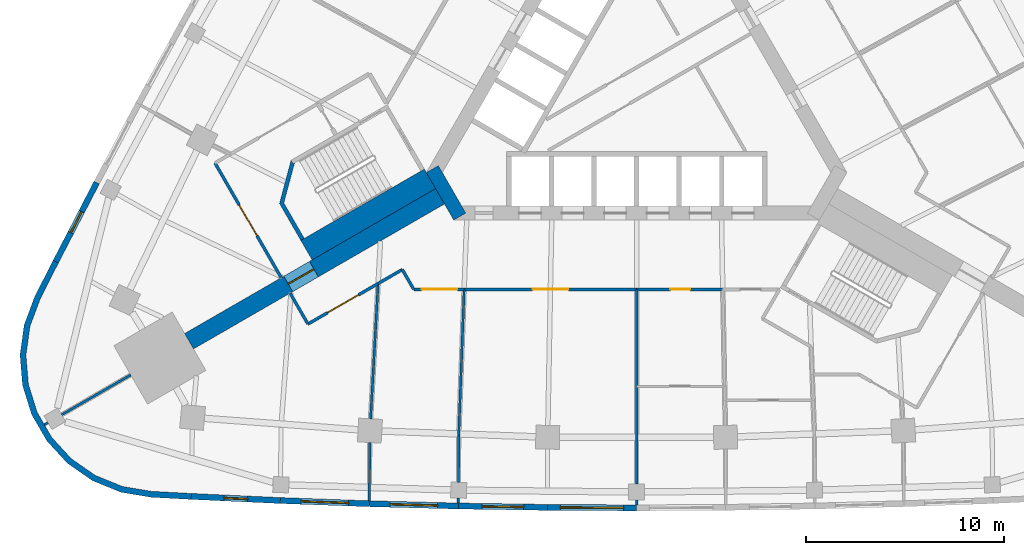
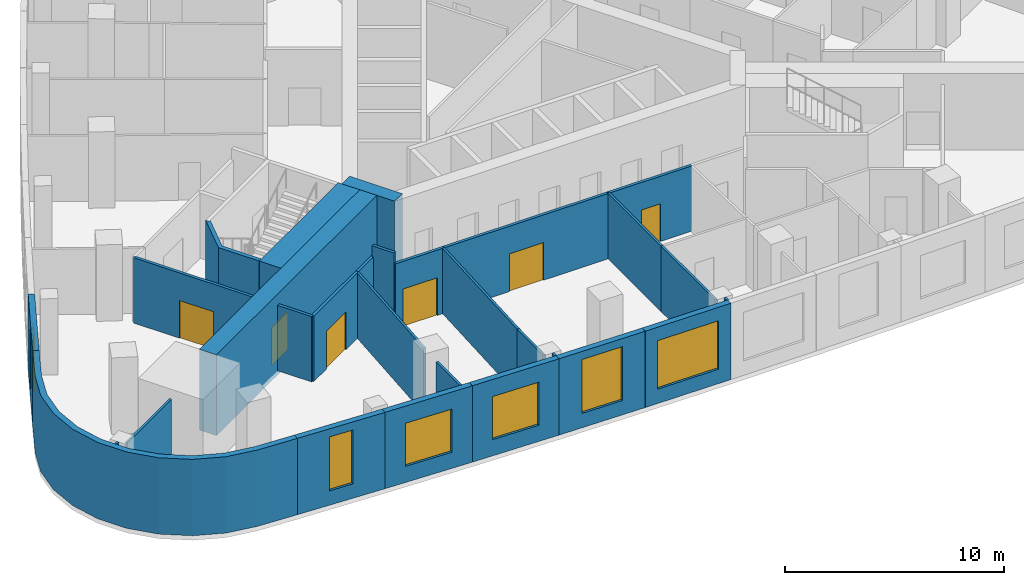
# One storey, part 4 of 11: 29 walls, 6 doors, 6 windows, 12 openings.
"""IFC4 building model written with IfcOpenShell, lengths in metres."""

import ifcopenshell
import ifcopenshell.guid

model = None  # the IFC model being written
_history = None  # IfcOwnerHistory: only IFC2X3 demands one
_inside = {}  # id of a spatial element -> (the spatial element, [elements in it])
_under = {}  # id of a project, library or spatial element -> (it, [spatial elements below it])
_declared = {}  # id of a project -> (the project, [libraries it declares])
_typed = {}  # id of a type object -> (the type object, [elements of that type])
_made_of = {}  # id of a material, layer set ... -> (it, [elements and type objects made of it])


def new_model(schema):
    """Start an empty IFC model of exactly this schema.

    Asked for "IFC4X3", IfcOpenShell would pick the latest addendum, in which some entities
    have other attributes; the version numbers below select the first issue.
    IFC2X3 requires an IfcOwnerHistory on every rooted entity: one is made here for all.
    """
    global model, _history
    if schema == "IFC4X3":
        model = ifcopenshell.file(schema_version=(4, 3, 0, 0))
    else:
        model = ifcopenshell.file(schema=schema)
    _inside.clear()
    _under.clear()
    _declared.clear()
    _typed.clear()
    _made_of.clear()
    _history = None
    if model.schema == "IFC2X3":
        org = make("IfcOrganization", Name="unknown")
        user = make(
            "IfcPersonAndOrganization",
            ThePerson=make("IfcPerson", FamilyName="unknown"),
            TheOrganization=org,
        )
        app = make(
            "IfcApplication",
            ApplicationDeveloper=org,
            Version="unknown",
            ApplicationFullName="unknown",
            ApplicationIdentifier="unknown",
        )
        _history = make(
            "IfcOwnerHistory",
            OwningUser=user,
            OwningApplication=app,
            ChangeAction="ADDED",
            CreationDate=0,
        )
    return model


def make(cls, **values):
    """One entity of the class cls with the attributes given. An attribute that is None is left unset."""
    return model.create_entity(
        cls, **{name: value for name, value in values.items() if value is not None}
    )


def rooted(cls, **values):
    """An entity with a GlobalId (a new one), such as an element, a storey or a relation."""
    return make(cls, GlobalId=ifcopenshell.guid.new(), OwnerHistory=_history, **values)


def si_unit(unit_type, name, prefix=None):
    """IfcSIUnit, for example si_unit("LENGTHUNIT", "METRE", prefix="MILLI")."""
    return make("IfcSIUnit", UnitType=unit_type, Prefix=prefix, Name=name)


def assignment(units):
    """IfcUnitAssignment: the units of a project."""
    return None if units is None else make("IfcUnitAssignment", Units=units)


def point(xyz):
    """IfcCartesianPoint."""
    return None if xyz is None else make("IfcCartesianPoint", Coordinates=xyz)


def direction(xyz):
    """IfcDirection."""
    return None if xyz is None else make("IfcDirection", DirectionRatios=xyz)


def frame(location, z_axis=None, x_axis=None):
    """IfcAxis2Placement3D, a coordinate frame: its origin and axes. An axis left out is left unset."""
    return make(
        "IfcAxis2Placement3D",
        Location=point(location),
        Axis=direction(z_axis),
        RefDirection=direction(x_axis),
    )


def frame_2d(location, x_axis=None):
    """IfcAxis2Placement2D, a coordinate frame in the plane: its origin and x axis."""
    return make(
        "IfcAxis2Placement2D", Location=point(location), RefDirection=direction(x_axis)
    )


def origin():
    """The frame at (0, 0, 0) with its axes left unset."""
    return frame((0.0, 0.0, 0.0))


def place(relative_to, where):
    """IfcLocalPlacement: puts the frame where relative to a parent placement (None: the world)."""
    return make(
        "IfcLocalPlacement", PlacementRelTo=relative_to, RelativePlacement=where
    )


def context(
    kind, dimensions, precision=None, world=None, true_north=None, identifier=None
):
    """IfcGeometricRepresentationContext, for example the 3D "Model" context."""
    return make(
        "IfcGeometricRepresentationContext",
        ContextIdentifier=identifier,
        ContextType=kind,
        CoordinateSpaceDimension=dimensions,
        Precision=precision,
        WorldCoordinateSystem=world,
        TrueNorth=true_north,
    )


def subcontext(parent, identifier, kind, view, scale=None):
    """IfcGeometricRepresentationSubContext, for example "Body" below "Model"."""
    return make(
        "IfcGeometricRepresentationSubContext",
        ContextIdentifier=identifier,
        ContextType=kind,
        ParentContext=parent,
        TargetScale=scale,
        TargetView=view,
    )


def project(units=None, contexts=None):
    """IfcProject with its units and contexts."""
    return rooted(
        "IfcProject",
        Name="project",
        RepresentationContexts=contexts,
        UnitsInContext=assignment(units),
    )


def spatial(cls, under=None, at=None, **own):
    """A site, building, storey or space (cls), placed at a placement, below another one or the project."""
    s = rooted(cls, ObjectPlacement=at, **own)
    if under is not None:
        _under.setdefault(under.id(), (under, []))[1].append(s)
    return s


def polyline(points):
    """IfcPolyline through the points."""
    return make("IfcPolyline", Points=[point(p) for p in points])


def profile(cls, at=None, kind="AREA", **sizes):
    """A parametric profile (cls). Its sizes go by their IFC names, for example OverallWidth=200.0."""
    return make(cls, ProfileType=kind, Position=at, **sizes)


def rectangle(**sizes):
    """IfcRectangleProfileDef."""
    return profile("IfcRectangleProfileDef", **sizes)


def outline(outer, holes=None, kind="AREA"):
    """IfcArbitraryClosedProfileDef: a profile drawn as a closed curve; with holes, ...WithVoids."""
    if holes is None:
        return make("IfcArbitraryClosedProfileDef", ProfileType=kind, OuterCurve=outer)
    return make(
        "IfcArbitraryProfileDefWithVoids",
        ProfileType=kind,
        OuterCurve=outer,
        InnerCurves=holes,
    )


def extrude(swept, where, along, depth):
    """IfcExtrudedAreaSolid: the profile swept, set in the frame where, extruded along a direction by depth."""
    return make(
        "IfcExtrudedAreaSolid",
        SweptArea=swept,
        Position=where,
        ExtrudedDirection=direction(along),
        Depth=depth,
    )


def shape(context_of_items, identifier, shape_type, items):
    """IfcShapeRepresentation: the items that make up one representation, for example the "Body"."""
    return make(
        "IfcShapeRepresentation",
        ContextOfItems=context_of_items,
        RepresentationIdentifier=identifier,
        RepresentationType=shape_type,
        Items=items,
    )


def material(Name=None, Category=None):
    """IfcMaterial."""
    return make("IfcMaterial", Name=Name, Category=Category)


def layer(
    of_material, thickness, ventilated=None, Name=None, Category=None, Priority=None
):
    """IfcMaterialLayer: one layer of a wall or slab, of a material (None: an air gap)."""
    return make(
        "IfcMaterialLayer",
        Material=of_material,
        LayerThickness=thickness,
        IsVentilated=ventilated,
        Name=Name,
        Category=Category,
        Priority=Priority,
    )


def layer_set(layers, Name=None):
    """IfcMaterialLayerSet."""
    return make("IfcMaterialLayerSet", MaterialLayers=layers, LayerSetName=Name)


def made_of(thing, what):
    """Note that an element or type object is made of a material, layer set ...; save() writes the relation."""
    if what is not None:
        _made_of.setdefault(what.id(), (what, []))[1].append(thing)
    return thing


def type_object(cls, material=None, **own):
    """A type object (cls), such as IfcWallType, which elements share."""
    return made_of(rooted(cls, **own), material)


def element(
    cls,
    number,
    at=None,
    inside=None,
    cuts=None,
    type_object=None,
    material=None,
    context=None,
    identifier="Body",
    shape_type=None,
    held_by="IfcProductDefinitionShape",
    body=None,
    shapes=None,
    **own,
):
    """One element of the class cls, such as IfcWall. Its Tag is "e" and its number.

    at: its placement. inside: the storey or other place that contains it. cuts: it is an
    opening in that element (IfcRelVoidsElement). A single representation is given by context,
    identifier, shape_type and body (its items); several are given by shapes. held_by: the class
    of the entity that holds the representations. save() writes the other relations.
    """
    e = rooted(cls, Tag="e%d" % number, ObjectPlacement=at, **own)
    if body is not None:
        shapes = [shape(context, identifier, shape_type, body)]
    if shapes is not None:
        e.Representation = make(held_by, Representations=shapes)
    if inside is not None:
        _inside.setdefault(inside.id(), (inside, []))[1].append(e)
    if cuts is not None:
        rooted(
            "IfcRelVoidsElement", RelatingBuildingElement=cuts, RelatedOpeningElement=e
        )
    if type_object is not None:
        _typed.setdefault(type_object.id(), (type_object, []))[1].append(e)
    return made_of(e, material)


def fill(opening, filler):
    """IfcRelFillsElement: the door or window that sits in an opening."""
    return rooted(
        "IfcRelFillsElement",
        RelatingOpeningElement=opening,
        RelatedBuildingElement=filler,
    )


def aggregate(whole, parts):
    """IfcRelAggregates: a whole, such as a stair, and the parts it consists of."""
    return rooted("IfcRelAggregates", RelatingObject=whole, RelatedObjects=parts)


def save(model, path):
    """Write the relations noted so far, then the file.

    IfcRelAggregates (storeys below a building ...), IfcRelContainedInSpatialStructure (elements
    in a storey), IfcRelDefinesByType, IfcRelAssociatesMaterial and IfcRelDeclares: one each for
    every whole, place, type object, material and project.
    """
    for whole, parts in _under.values():
        aggregate(whole, parts)
    for where, things in _inside.values():
        rooted(
            "IfcRelContainedInSpatialStructure",
            RelatedElements=things,
            RelatingStructure=where,
        )
    for kind, things in _typed.values():
        rooted("IfcRelDefinesByType", RelatedObjects=things, RelatingType=kind)
    for what, things in _made_of.values():
        rooted("IfcRelAssociatesMaterial", RelatedObjects=things, RelatingMaterial=what)
    for by, libraries in _declared.values():
        rooted("IfcRelDeclares", RelatingContext=by, RelatedDefinitions=libraries)
    model.write(path)


model = new_model("IFC4")

# Units and contexts
model_context = context("Model", 3, precision=1e-05, world=origin(), true_north=direction((0.0, 1.0)))
body_context = subcontext(model_context, "Body", "Model", "MODEL_VIEW")
ifc_project = project(units=[si_unit("LENGTHUNIT", "METRE"), si_unit("AREAUNIT", "SQUARE_METRE"), si_unit("VOLUMEUNIT", "CUBIC_METRE"), si_unit("PLANEANGLEUNIT", "RADIAN"), si_unit("MASSUNIT", "GRAM", prefix="KILO")], contexts=[model_context])

# Site, building, storey
site_placement = place(None, origin())
site = spatial("IfcSite", under=ifc_project, at=site_placement, CompositionType="ELEMENT")
building_placement = place(site_placement, origin())
building = spatial("IfcBuilding", under=site, at=building_placement, Name="Noor Cloister Tower", CompositionType="ELEMENT")
storey_placement = place(building_placement, frame((0.0, 0.0, 6.0)))
storey = spatial("IfcBuildingStorey", under=building, at=storey_placement, Name="L01", CompositionType="ELEMENT", Elevation=6.0)

# Wall, opening, door
ifc_material_1 = material(Name="Concrete C80/95", Category="concrete")
ifc_layer_1 = layer(ifc_material_1, 0.89990234375)
ifc_layer_set_1 = layer_set([ifc_layer_1], Name="Buttress wall 900 C80/95")
wall_type_1 = type_object("IfcWallType", Name="Buttress wall 900 C80/95", PredefinedType="SHEAR", material=ifc_layer_set_1)
wall_1_placement = place(storey_placement, frame((-9.921630859375, -5.728271484375, -0.25), z_axis=(0.0, 0.0, 1.0), x_axis=(-0.866028046028, -0.499995423472, 0.0)))
wall_1 = element("IfcWall", 1, at=wall_1_placement, inside=storey, type_object=wall_type_1, Name="Buttress wall SW L01", PredefinedType="SHEAR", context=body_context, shape_type="SweptSolid", body=[
    extrude(rectangle(XDim=14.632568359375, YDim=0.89990234375, at=frame_2d((7.31640625, 0.0))), origin(), (0.0, 0.0, 1.0), 4.5),
])
opening_1_placement = place(wall_1_placement, frame((7.35009765625, 0.0, 0.25)))
opening_1 = element("IfcOpeningElement", 2, at=opening_1_placement, cuts=wall_1, Name="Opening L01-035", PredefinedType="OPENING", context=body_context, shape_type="SweptSolid", body=[
    extrude(rectangle(XDim=1.5, YDim=2.10009765625, at=frame_2d((0.75, 1.050048828125))), frame((0.0, 0.4599609375, 0.0), z_axis=(0.0, -1.0, 0.0), x_axis=(1.0, 0.0, 0.0)), (0.0, 0.0, 1.0), 0.919921875),
])
ifc_material_2 = material(Name="Steel fire door", Category="steel")
door_type_1 = type_object("IfcDoorType", Name="Smoke barrier door FD60 1500", OperationType="DOUBLE_DOOR_SINGLE_SWING", PredefinedType="DOOR", material=ifc_material_2)
door_1_placement = place(opening_1_placement, origin())
door_1 = element("IfcDoor", 3, at=door_1_placement, inside=storey, type_object=door_type_1, Name="Door L01-035", OperationType="DOUBLE_DOOR_SINGLE_SWING", OverallHeight=2.10009765625, OverallWidth=1.5, PredefinedType="DOOR", context=body_context, shape_type="SweptSolid", body=[
    extrude(rectangle(XDim=1.5, YDim=2.10009765625, at=frame_2d((0.75, 1.050048828125))), frame((0.0, 0.02490234375, 0.0), z_axis=(0.0, -1.0, 0.0), x_axis=(1.0, 0.0, 0.0)), (0.0, 0.0, 1.0), 0.050048828125),
])
fill(opening_1, door_1)

# Wall
ifc_material_3 = material(Name="Concrete C80/95", Category="concrete")
ifc_layer_2 = layer(ifc_material_3, 0.699951171875)
ifc_layer_set_2 = layer_set([ifc_layer_2], Name="Core wall 700 C80/95")
wall_type_2 = type_object("IfcWallType", Name="Core wall 700 C80/95", PredefinedType="SHEAR", material=ifc_layer_set_2)
wall_2_placement = place(storey_placement, frame((-10.311279296875, -4.353271484375, -0.25), z_axis=(0.0, 0.0, 1.0), x_axis=(0.500042739161, -0.866000726912, 0.0)))
element("IfcWall", 4, at=wall_2_placement, inside=storey, type_object=wall_type_2, Name="Core wall L01 6", PredefinedType="SHEAR", context=body_context, shape_type="SweptSolid", body=[
    extrude(rectangle(XDim=2.771240234375, YDim=0.699951171875, at=frame_2d((1.3857421875, 0.0))), origin(), (0.0, 0.0, 1.0), 4.5),
])

# Wall, opening, door
ifc_material_4 = material(Name="Plasterboard on steel studs", Category="steel")
ifc_layer_3 = layer(ifc_material_4, 0.14990234375)
ifc_layer_set_3 = layer_set([ifc_layer_3], Name="Corridor wall 150")
wall_type_3 = type_object("IfcWallType", Name="Corridor wall 150", PredefinedType="PARTITIONING", material=ifc_layer_set_3)
wall_3_placement = place(storey_placement, frame((-13.044921875, -10.1298828125, 0.0), z_axis=(0.0, 0.0, 1.0), x_axis=(-0.866035577775, -0.499982377718, 0.0)))
wall_3 = element("IfcWall", 5, at=wall_3_placement, inside=storey, type_object=wall_type_3, Name="Partition", PredefinedType="PARTITIONING", context=body_context, shape_type="SweptSolid", body=[
    extrude(rectangle(XDim=4.092529296875, YDim=0.14990234375, at=frame_2d((2.04638671875, 0.0))), origin(), (0.0, 0.0, 1.0), 3.637939453125),
])
opening_2_placement = place(wall_3_placement, frame((1.14990234375, 0.0, 0.0)))
opening_2 = element("IfcOpeningElement", 6, at=opening_2_placement, cuts=wall_3, Name="Opening L01-004", PredefinedType="OPENING", context=body_context, shape_type="SweptSolid", body=[
    extrude(rectangle(XDim=1.800048828125, YDim=2.10009765625, at=frame_2d((0.89990234375, 1.050048828125))), frame((0.0, 0.0849609375, 0.0), z_axis=(0.0, -1.0, 0.0), x_axis=(1.0, 0.0, 0.0)), (0.0, 0.0, 1.0), 0.169921875),
])
ifc_material_5 = material(Name="Timber door leaf", Category="wood")
door_type_2 = type_object("IfcDoorType", Name="Double leaf door 1800", OperationType="DOUBLE_DOOR_SINGLE_SWING", PredefinedType="DOOR", material=ifc_material_5)
door_2_placement = place(opening_2_placement, origin())
door_2 = element("IfcDoor", 7, at=door_2_placement, inside=storey, type_object=door_type_2, Name="Door L01-004", OperationType="DOUBLE_DOOR_SINGLE_SWING", OverallHeight=2.10009765625, OverallWidth=1.800048828125, PredefinedType="DOOR", context=body_context, shape_type="SweptSolid", body=[
    extrude(rectangle(XDim=1.800048828125, YDim=2.10009765625, at=frame_2d((0.89990234375, 1.050048828125))), frame((0.0, 0.02490234375, 0.0), z_axis=(0.0, -1.0, 0.0), x_axis=(1.0, 0.0, 0.0)), (0.0, 0.0, 1.0), 0.050048828125),
])
fill(opening_2, door_2)

# Wall
wall_4_placement = place(storey_placement, frame((-16.591064453125, -12.176025390625, 0.0), z_axis=(0.0, 0.0, 1.0), x_axis=(-0.499965372359, 0.866045395139, 0.0)))
element("IfcWall", 8, at=wall_4_placement, inside=storey, type_object=wall_type_3, Name="Partition", PredefinedType="PARTITIONING", context=body_context, shape_type="SweptSolid", body=[
    extrude(rectangle(XDim=1.798095703125, YDim=0.14990234375, at=frame_2d((0.89892578125, 0.0))), origin(), (0.0, 0.0, 1.0), 3.637939453125),
])

# Wall, opening, door
wall_5_placement = place(storey_placement, frame((0.00390625, -10.427978515625, 0.0), z_axis=(0.0, 0.0, 1.0), x_axis=(-1.0, 0.0, 0.0)))
wall_5 = element("IfcWall", 9, at=wall_5_placement, inside=storey, type_object=wall_type_3, Name="Partition", PredefinedType="PARTITIONING", context=body_context, shape_type="SweptSolid", body=[
    extrude(rectangle(XDim=8.712890625, YDim=0.14990234375, at=frame_2d((4.3564453125, 0.0))), origin(), (0.0, 0.0, 1.0), 3.637939453125),
])
opening_3_placement = place(wall_5_placement, frame((3.449951171875, 0.0, 0.0)))
opening_3 = element("IfcOpeningElement", 10, at=opening_3_placement, cuts=wall_5, Name="Opening L01-006", PredefinedType="OPENING", context=body_context, shape_type="SweptSolid", body=[
    extrude(rectangle(XDim=1.800048828125, YDim=2.10009765625, at=frame_2d((0.89990234375, 1.050048828125))), frame((0.0, 0.0849609375, 0.0), z_axis=(0.0, -1.0, 0.0), x_axis=(1.0, 0.0, 0.0)), (0.0, 0.0, 1.0), 0.169921875),
])
door_3_placement = place(opening_3_placement, origin())
door_3 = element("IfcDoor", 11, at=door_3_placement, inside=storey, type_object=door_type_2, Name="Door L01-006", OperationType="DOUBLE_DOOR_SINGLE_SWING", OverallHeight=2.10009765625, OverallWidth=1.800048828125, PredefinedType="DOOR", context=body_context, shape_type="SweptSolid", body=[
    extrude(rectangle(XDim=1.800048828125, YDim=2.10009765625, at=frame_2d((0.89990234375, 1.050048828125))), frame((0.0, 0.02490234375, 0.0), z_axis=(0.0, -1.0, 0.0), x_axis=(1.0, 0.0, 0.0)), (0.0, 0.0, 1.0), 0.050048828125),
])
fill(opening_3, door_3)

wall_6_placement = place(storey_placement, frame((-8.700927734375, -10.427978515625, 0.0), z_axis=(0.0, 0.0, 1.0), x_axis=(-1.0, 0.0, 0.0)))
wall_6 = element("IfcWall", 12, at=wall_6_placement, inside=storey, type_object=wall_type_3, Name="Partition", PredefinedType="PARTITIONING", context=body_context, shape_type="SweptSolid", body=[
    extrude(rectangle(XDim=2.548095703125, YDim=0.14990234375, at=frame_2d((1.27392578125, 0.0))), origin(), (0.0, 0.0, 1.0), 3.637939453125),
])
opening_4_placement = place(wall_6_placement, frame((0.35009765625, 0.0, 0.0)))
opening_4 = element("IfcOpeningElement", 13, at=opening_4_placement, cuts=wall_6, Name="Opening L01-007", PredefinedType="OPENING", context=body_context, shape_type="SweptSolid", body=[
    extrude(rectangle(XDim=1.800048828125, YDim=2.10009765625, at=frame_2d((0.89990234375, 1.050048828125))), frame((0.0, 0.0849609375, 0.0), z_axis=(0.0, -1.0, 0.0), x_axis=(1.0, 0.0, 0.0)), (0.0, 0.0, 1.0), 0.169921875),
])
door_4_placement = place(opening_4_placement, origin())
door_4 = element("IfcDoor", 14, at=door_4_placement, inside=storey, type_object=door_type_2, Name="Door L01-007", OperationType="DOUBLE_DOOR_SINGLE_SWING", OverallHeight=2.10009765625, OverallWidth=1.800048828125, PredefinedType="DOOR", context=body_context, shape_type="SweptSolid", body=[
    extrude(rectangle(XDim=1.800048828125, YDim=2.10009765625, at=frame_2d((0.89990234375, 1.050048828125))), frame((0.0, 0.02490234375, 0.0), z_axis=(0.0, -1.0, 0.0), x_axis=(1.0, 0.0, 0.0)), (0.0, 0.0, 1.0), 0.050048828125),
])
fill(opening_4, door_4)

# Walls
wall_7_placement = place(storey_placement, frame((-11.2490234375, -10.427978515625, 0.0), z_axis=(0.0, 0.0, 1.0), x_axis=(-0.499978438088, 0.866037852202, 0.0)))
element("IfcWall", 15, at=wall_7_placement, inside=storey, type_object=wall_type_3, Name="Partition", PredefinedType="PARTITIONING", context=body_context, shape_type="SweptSolid", body=[
    extrude(rectangle(XDim=1.15576171875, YDim=0.14990234375, at=frame_2d((0.577880859375, 0.0))), origin(), (0.0, 0.0, 1.0), 4.25),
])
wall_8_placement = place(storey_placement, frame((-11.826904296875, -9.427001953125, 0.0), z_axis=(0.0, 0.0, 1.0), x_axis=(-0.865984561414, -0.500070734389, 0.0)))
element("IfcWall", 16, at=wall_8_placement, inside=storey, type_object=wall_type_3, Name="Partition", PredefinedType="PARTITIONING", context=body_context, shape_type="SweptSolid", body=[
    extrude(rectangle(XDim=1.415771484375, YDim=0.14990234375, at=frame_2d((0.7080078125, 0.0))), origin(), (0.0, 0.0, 1.0), 3.637939453125),
])

# Wall, opening, door
wall_9_placement = place(storey_placement, frame((4.35498046875, -10.427978515625, 0.0), z_axis=(0.0, 0.0, 1.0), x_axis=(-1.0, 0.0, 0.0)))
wall_9 = element("IfcWall", 17, at=wall_9_placement, inside=storey, type_object=wall_type_3, Name="Partition", PredefinedType="PARTITIONING", context=body_context, shape_type="SweptSolid", body=[
    extrude(rectangle(XDim=4.35888671875, YDim=0.14990234375, at=frame_2d((2.179443359375, 0.0))), origin(), (0.0, 0.0, 1.0), 3.637939453125),
])
opening_5_placement = place(wall_9_placement, frame((1.64990234375, 0.0, 0.0)))
opening_5 = element("IfcOpeningElement", 18, at=opening_5_placement, cuts=wall_9, Name="Opening L01-008", PredefinedType="OPENING", context=body_context, shape_type="SweptSolid", body=[
    extrude(rectangle(XDim=1.0, YDim=2.10009765625, at=frame_2d((0.5, 1.050048828125))), frame((0.0, 0.0849609375, 0.0), z_axis=(0.0, -1.0, 0.0), x_axis=(1.0, 0.0, 0.0)), (0.0, 0.0, 1.0), 0.169921875),
])
ifc_material_6 = material(Name="Timber door leaf", Category="wood")
door_type_3 = type_object("IfcDoorType", Name="Clinic room door 1000", OperationType="SINGLE_SWING_LEFT", PredefinedType="DOOR", material=ifc_material_6)
door_5_placement = place(opening_5_placement, origin())
door_5 = element("IfcDoor", 19, at=door_5_placement, inside=storey, type_object=door_type_3, Name="Door L01-008", OperationType="SINGLE_SWING_LEFT", OverallHeight=2.10009765625, OverallWidth=1.0, PredefinedType="DOOR", context=body_context, shape_type="SweptSolid", body=[
    extrude(rectangle(XDim=1.0, YDim=2.10009765625, at=frame_2d((0.5, 1.050048828125))), frame((0.0, 0.02490234375, 0.0), z_axis=(0.0, -1.0, 0.0), x_axis=(1.0, 0.0, 0.0)), (0.0, 0.0, 1.0), 0.050048828125),
])
fill(opening_5, door_5)

wall_10_placement = place(storey_placement, frame((-17.94091796875, -9.837890625, 0.0), z_axis=(0.0, 0.0, 1.0), x_axis=(-0.500048140185, 0.865997608252, 0.0)))
wall_10 = element("IfcWall", 20, at=wall_10_placement, inside=storey, type_object=wall_type_3, Name="Partition", PredefinedType="PARTITIONING", context=body_context, shape_type="SweptSolid", body=[
    extrude(rectangle(XDim=6.683349609375, YDim=0.14990234375, at=frame_2d((3.341796875, 0.0))), origin(), (0.0, 0.0, 1.0), 3.637939453125),
])
opening_6_placement = place(wall_10_placement, frame((2.449951171875, 0.0, 0.0)))
opening_6 = element("IfcOpeningElement", 21, at=opening_6_placement, cuts=wall_10, Name="Opening L01-010", PredefinedType="OPENING", context=body_context, shape_type="SweptSolid", body=[
    extrude(rectangle(XDim=1.800048828125, YDim=2.10009765625, at=frame_2d((0.89990234375, 1.050048828125))), frame((0.0, 0.0849609375, 0.0), z_axis=(0.0, -1.0, 0.0), x_axis=(1.0, 0.0, 0.0)), (0.0, 0.0, 1.0), 0.169921875),
])
door_6_placement = place(opening_6_placement, origin())
door_6 = element("IfcDoor", 22, at=door_6_placement, inside=storey, type_object=door_type_2, Name="Door L01-010", OperationType="DOUBLE_DOOR_SINGLE_SWING", OverallHeight=2.10009765625, OverallWidth=1.800048828125, PredefinedType="DOOR", context=body_context, shape_type="SweptSolid", body=[
    extrude(rectangle(XDim=1.800048828125, YDim=2.10009765625, at=frame_2d((0.89990234375, 1.050048828125))), frame((0.0, 0.02490234375, 0.0), z_axis=(0.0, -1.0, 0.0), x_axis=(1.0, 0.0, 0.0)), (0.0, 0.0, 1.0), 0.050048828125),
])
fill(opening_6, door_6)

# Wall
ifc_material_7 = material(Name="Limestone", Category="masonry")
ifc_layer_4 = layer(ifc_material_7, 0.300048828125)
ifc_layer_set_4 = layer_set([ifc_layer_4], Name="Limestone cladding 300")
wall_type_4 = type_object("IfcWallType", Name="Limestone cladding 300", PredefinedType="NOTDEFINED", material=ifc_layer_set_4)
wall_11_placement = place(storey_placement, origin())
element("IfcWall", 23, at=wall_11_placement, inside=storey, type_object=wall_type_4, Name="Limestone pier cladding L01 1.1", PredefinedType="NOTDEFINED", context=body_context, shape_type="SweptSolid", body=[
    extrude(outline(polyline([(-29.457275390625, -8.962158203125), (-30.378662109375, -10.7763671875), (-30.917236328125, -12.2177734375), (-31.127685546875, -13.7421875), (-31.0, -15.275634765625), (-30.540283203125, -16.744140625), (-29.77099609375, -18.07666015625), (-28.72900390625, -19.208984375), (-27.46484375, -20.086181640625), (-26.03955078125, -20.666259765625), (-24.52197265625, -20.920654296875), (-22.490234375, -21.02978515625), (-22.47412109375, -20.730224609375), (-24.489013671875, -20.621826171875), (-25.95703125, -20.375732421875), (-27.321044921875, -19.82080078125), (-28.53076171875, -18.9814453125), (-29.52783203125, -17.89794921875), (-30.263916015625, -16.622802734375), (-30.70361328125, -15.217529296875), (-30.825927734375, -13.750244140625), (-30.62451171875, -12.291748046875), (-30.103515625, -10.89697265625), (-29.18994140625, -9.097900390625), (-29.457275390625, -8.962158203125)])), origin(), (0.0, 0.0, 1.0), 4.25),
])

# Wall, opening, window
ifc_material_8 = material(Name="Limestone", Category="masonry")
ifc_layer_5 = layer(ifc_material_8, 0.300048828125)
ifc_layer_set_5 = layer_set([ifc_layer_5], Name="Limestone panel wall 300")
wall_type_5 = type_object("IfcWallType", Name="Limestone panel wall 300", PredefinedType="NOTDEFINED", material=ifc_layer_set_5)
wall_12_placement = place(storey_placement, frame((-29.3232421875, -9.029296875, 0.0), z_axis=(0.0, 0.0, 1.0), x_axis=(0.459443600121, 0.888206945654, 0.0)))
wall_12 = element("IfcWall", 24, at=wall_12_placement, inside=storey, type_object=wall_type_5, Name="Limestone wall L01 NW 10", PredefinedType="NOTDEFINED", context=body_context, shape_type="SweptSolid", body=[
    extrude(rectangle(XDim=4.49609375, YDim=0.300048828125, at=frame_2d((2.248046875, 0.0))), origin(), (0.0, 0.0, 1.0), 4.25),
])
opening_7_placement = place(wall_12_placement, frame((1.64794921875, 0.0, 0.800048828125)))
opening_7 = element("IfcOpeningElement", 25, at=opening_7_placement, cuts=wall_12, Name="Opening L01-W10", PredefinedType="OPENING", context=body_context, shape_type="SweptSolid", body=[
    extrude(rectangle(XDim=1.199951171875, YDim=3.0, at=frame_2d((0.60009765625, 1.5))), frame((0.0, 0.16015625, 0.0), z_axis=(0.0, -1.0, 0.0), x_axis=(1.0, 0.0, 0.0)), (0.0, 0.0, 1.0), 0.320068359375),
])
ifc_material_9 = material(Name="Aluminium 6063-T6 anodised", Category="aluminium")
window_type_1 = type_object("IfcWindowType", Name="Lancet window 1200 x 3000", PartitioningType="SINGLE_PANEL", PredefinedType="WINDOW", material=ifc_material_9)
window_1_placement = place(opening_7_placement, origin())
window_1 = element("IfcWindow", 26, at=window_1_placement, inside=storey, type_object=window_type_1, Name="Window L01 10", OverallHeight=3.0, OverallWidth=1.199951171875, PartitioningType="SINGLE_PANEL", PredefinedType="WINDOW", context=body_context, shape_type="SweptSolid", body=[
    extrude(rectangle(XDim=1.199951171875, YDim=3.0, at=frame_2d((0.60009765625, 1.5))), frame((0.0, 0.030029296875, 0.0), z_axis=(0.0, -1.0, 0.0), x_axis=(1.0, 0.0, 0.0)), (0.0, 0.0, 1.0), 0.06005859375),
])
fill(opening_7, window_1)

wall_13_placement = place(storey_placement, frame((-17.989990234375, -21.087646484375, 0.0), z_axis=(0.0, 0.0, 1.0), x_axis=(-0.998931717866, 0.046210637742, 0.0)))
wall_13 = element("IfcWall", 27, at=wall_13_placement, inside=storey, type_object=wall_type_5, Name="Limestone wall L01 S 1", PredefinedType="NOTDEFINED", context=body_context, shape_type="SweptSolid", body=[
    extrude(rectangle(XDim=4.49609375, YDim=0.300048828125, at=frame_2d((2.248046875, 0.0))), origin(), (0.0, 0.0, 1.0), 4.25),
])
opening_8_placement = place(wall_13_placement, frame((1.64794921875, 0.0, 0.800048828125)))
opening_8 = element("IfcOpeningElement", 28, at=opening_8_placement, cuts=wall_13, Name="Opening L01-W11", PredefinedType="OPENING", context=body_context, shape_type="SweptSolid", body=[
    extrude(rectangle(XDim=1.199951171875, YDim=3.0, at=frame_2d((0.60009765625, 1.5))), frame((0.0, 0.16015625, 0.0), z_axis=(0.0, -1.0, 0.0), x_axis=(1.0, 0.0, 0.0)), (0.0, 0.0, 1.0), 0.320068359375),
])
window_2_placement = place(opening_8_placement, origin())
window_2 = element("IfcWindow", 29, at=window_2_placement, inside=storey, type_object=window_type_1, Name="Window L01 11", OverallHeight=3.0, OverallWidth=1.199951171875, PartitioningType="SINGLE_PANEL", PredefinedType="WINDOW", context=body_context, shape_type="SweptSolid", body=[
    extrude(rectangle(XDim=1.199951171875, YDim=3.0, at=frame_2d((0.60009765625, 1.5))), frame((0.0, 0.030029296875, 0.0), z_axis=(0.0, -1.0, 0.0), x_axis=(1.0, 0.0, 0.0)), (0.0, 0.0, 1.0), 0.06005859375),
])
fill(opening_8, window_2)

wall_14_placement = place(storey_placement, frame((-13.494384765625, -21.249267578125, 0.0), z_axis=(0.0, 0.0, 1.0), x_axis=(-0.999355640029, 0.035892962294, 0.0)))
wall_14 = element("IfcWall", 30, at=wall_14_placement, inside=storey, type_object=wall_type_5, Name="Limestone wall L01 S 2", PredefinedType="NOTDEFINED", context=body_context, shape_type="SweptSolid", body=[
    extrude(rectangle(XDim=4.49609375, YDim=0.300048828125, at=frame_2d((2.248046875, 0.0))), origin(), (0.0, 0.0, 1.0), 4.25),
])
opening_9_placement = place(wall_14_placement, frame((1.048095703125, 0.0, 0.89990234375)))
opening_9 = element("IfcOpeningElement", 31, at=opening_9_placement, cuts=wall_14, Name="Opening L01-W12", PredefinedType="OPENING", context=body_context, shape_type="SweptSolid", body=[
    extrude(rectangle(XDim=2.39990234375, YDim=2.39990234375, at=frame_2d((1.199951171875, 1.199951171875))), frame((0.0, 0.16015625, 0.0), z_axis=(0.0, -1.0, 0.0), x_axis=(1.0, 0.0, 0.0)), (0.0, 0.0, 1.0), 0.320068359375),
])
ifc_material_10 = material(Name="Aluminium 6063-T6 anodised", Category="aluminium")
window_type_2 = type_object("IfcWindowType", Name="Clinic window 2400 x 2400", PartitioningType="DOUBLE_PANEL_VERTICAL", PredefinedType="WINDOW", material=ifc_material_10)
window_3_placement = place(opening_9_placement, origin())
window_3 = element("IfcWindow", 32, at=window_3_placement, inside=storey, type_object=window_type_2, Name="Window L01 12", OverallHeight=2.39990234375, OverallWidth=2.39990234375, PartitioningType="DOUBLE_PANEL_VERTICAL", PredefinedType="WINDOW", context=body_context, shape_type="SweptSolid", body=[
    extrude(rectangle(XDim=2.39990234375, YDim=2.39990234375, at=frame_2d((1.199951171875, 1.199951171875))), frame((0.0, 0.030029296875, 0.0), z_axis=(0.0, -1.0, 0.0), x_axis=(1.0, 0.0, 0.0)), (0.0, 0.0, 1.0), 0.06005859375),
])
fill(opening_9, window_3)

wall_15_placement = place(storey_placement, frame((-8.99755859375, -21.36474609375, 0.0), z_axis=(0.0, 0.0, 1.0), x_axis=(-0.999671466587, 0.025631209312, 0.0)))
wall_15 = element("IfcWall", 33, at=wall_15_placement, inside=storey, type_object=wall_type_5, Name="Limestone wall L01 S 3", PredefinedType="NOTDEFINED", context=body_context, shape_type="SweptSolid", body=[
    extrude(rectangle(XDim=4.495849609375, YDim=0.300048828125, at=frame_2d((2.248046875, 0.0))), origin(), (0.0, 0.0, 1.0), 4.25),
])
opening_10_placement = place(wall_15_placement, frame((1.048095703125, 0.0, 0.89990234375)))
opening_10 = element("IfcOpeningElement", 34, at=opening_10_placement, cuts=wall_15, Name="Opening L01-W13", PredefinedType="OPENING", context=body_context, shape_type="SweptSolid", body=[
    extrude(rectangle(XDim=2.39990234375, YDim=2.39990234375, at=frame_2d((1.199951171875, 1.199951171875))), frame((0.0, 0.16015625, 0.0), z_axis=(0.0, -1.0, 0.0), x_axis=(1.0, 0.0, 0.0)), (0.0, 0.0, 1.0), 0.320068359375),
])
window_4_placement = place(opening_10_placement, origin())
window_4 = element("IfcWindow", 35, at=window_4_placement, inside=storey, type_object=window_type_2, Name="Window L01 13", OverallHeight=2.39990234375, OverallWidth=2.39990234375, PartitioningType="DOUBLE_PANEL_VERTICAL", PredefinedType="WINDOW", context=body_context, shape_type="SweptSolid", body=[
    extrude(rectangle(XDim=2.39990234375, YDim=2.39990234375, at=frame_2d((1.199951171875, 1.199951171875))), frame((0.0, 0.030029296875, 0.0), z_axis=(0.0, -1.0, 0.0), x_axis=(1.0, 0.0, 0.0)), (0.0, 0.0, 1.0), 0.06005859375),
])
fill(opening_10, window_4)

wall_16_placement = place(storey_placement, frame((-4.49951171875, -21.43408203125, 0.0), z_axis=(0.0, 0.0, 1.0), x_axis=(-0.999881921814, 0.015366926462, 0.0)))
wall_16 = element("IfcWall", 36, at=wall_16_placement, inside=storey, type_object=wall_type_5, Name="Limestone wall L01 S 4", PredefinedType="NOTDEFINED", context=body_context, shape_type="SweptSolid", body=[
    extrude(rectangle(XDim=4.49609375, YDim=0.300048828125, at=frame_2d((2.248046875, 0.0))), origin(), (0.0, 0.0, 1.0), 4.25),
])
opening_11_placement = place(wall_16_placement, frame((1.197998046875, 0.0, 0.800048828125)))
opening_11 = element("IfcOpeningElement", 37, at=opening_11_placement, cuts=wall_16, Name="Opening L01-W14", PredefinedType="OPENING", context=body_context, shape_type="SweptSolid", body=[
    extrude(rectangle(XDim=2.10009765625, YDim=3.0, at=frame_2d((1.050048828125, 1.5))), frame((0.0, 0.16015625, 0.0), z_axis=(0.0, -1.0, 0.0), x_axis=(1.0, 0.0, 0.0)), (0.0, 0.0, 1.0), 0.320068359375),
])
ifc_material_11 = material(Name="Aluminium 6063-T6 anodised", Category="aluminium")
window_type_3 = type_object("IfcWindowType", Name="Therapy window 2100 x 3000", PartitioningType="DOUBLE_PANEL_HORIZONTAL", PredefinedType="WINDOW", material=ifc_material_11)
window_5_placement = place(opening_11_placement, origin())
window_5 = element("IfcWindow", 38, at=window_5_placement, inside=storey, type_object=window_type_3, Name="Window L01 14", OverallHeight=3.0, OverallWidth=2.10009765625, PartitioningType="DOUBLE_PANEL_HORIZONTAL", PredefinedType="WINDOW", context=body_context, shape_type="SweptSolid", body=[
    extrude(rectangle(XDim=2.10009765625, YDim=3.0, at=frame_2d((1.050048828125, 1.5))), frame((0.0, 0.030029296875, 0.0), z_axis=(0.0, -1.0, 0.0), x_axis=(1.0, 0.0, 0.0)), (0.0, 0.0, 1.0), 0.06005859375),
])
fill(opening_11, window_5)

wall_17_placement = place(storey_placement, frame((-0.001220703125, -21.457275390625, 0.0), z_axis=(0.0, 0.0, 1.0), x_axis=(-0.999986693461, 0.005158769258, 0.0)))
wall_17 = element("IfcWall", 39, at=wall_17_placement, inside=storey, type_object=wall_type_5, Name="Limestone wall L01 S 5", PredefinedType="NOTDEFINED", context=body_context, shape_type="SweptSolid", body=[
    extrude(rectangle(XDim=4.495849609375, YDim=0.300048828125, at=frame_2d((2.248046875, 0.0))), origin(), (0.0, 0.0, 1.0), 4.25),
])
opening_12_placement = place(wall_17_placement, frame((0.64794921875, 0.0, 0.800048828125)))
opening_12 = element("IfcOpeningElement", 40, at=opening_12_placement, cuts=wall_17, Name="Opening L01-W15", PredefinedType="OPENING", context=body_context, shape_type="SweptSolid", body=[
    extrude(rectangle(XDim=3.199951171875, YDim=2.699951171875, at=frame_2d((1.60009765625, 1.35009765625))), frame((0.0, 0.16015625, 0.0), z_axis=(0.0, -1.0, 0.0), x_axis=(1.0, 0.0, 0.0)), (0.0, 0.0, 1.0), 0.320068359375),
])
ifc_material_12 = material(Name="Aluminium 6063-T6 anodised", Category="aluminium")
window_type_4 = type_object("IfcWindowType", Name="Waiting room window 3200 x 2700", PartitioningType="TRIPLE_PANEL_VERTICAL", PredefinedType="WINDOW", material=ifc_material_12)
window_6_placement = place(opening_12_placement, origin())
window_6 = element("IfcWindow", 41, at=window_6_placement, inside=storey, type_object=window_type_4, Name="Window L01 15", OverallHeight=2.699951171875, OverallWidth=3.199951171875, PartitioningType="TRIPLE_PANEL_VERTICAL", PredefinedType="WINDOW", context=body_context, shape_type="SweptSolid", body=[
    extrude(rectangle(XDim=3.199951171875, YDim=2.699951171875, at=frame_2d((1.60009765625, 1.35009765625))), frame((0.0, 0.030029296875, 0.0), z_axis=(0.0, -1.0, 0.0), x_axis=(1.0, 0.0, 0.0)), (0.0, 0.0, 1.0), 0.06005859375),
])
fill(opening_12, window_6)

# Walls
ifc_material_13 = material(Name="Plasterboard on steel studs", Category="steel")
ifc_layer_6 = layer(ifc_material_13, 0.1201171875)
ifc_layer_set_6 = layer_set([ifc_layer_6], Name="Partition wall 120")
wall_type_6 = type_object("IfcWallType", Name="Partition wall 120", PredefinedType="PARTITIONING", material=ifc_layer_set_6)
wall_18_placement = place(storey_placement, frame((0.0, -21.056884765625, 0.0), z_axis=(0.0, 0.0, 1.0), x_axis=(0.0, -1.0, 0.0)))
element("IfcWall", 42, at=wall_18_placement, inside=storey, type_object=wall_type_6, Name="Partition", PredefinedType="PARTITIONING", context=body_context, shape_type="SweptSolid", body=[
    extrude(rectangle(XDim=0.25, YDim=0.1201171875, at=frame_2d((0.125, 0.0))), origin(), (0.0, 0.0, 1.0), 4.25),
])
wall_19_placement = place(storey_placement, frame((0.0, -15.323974609375, 0.0), z_axis=(0.0, 0.0, 1.0), x_axis=(0.0, -1.0, 0.0)))
element("IfcWall", 43, at=wall_19_placement, inside=storey, type_object=wall_type_6, Name="Partition", PredefinedType="PARTITIONING", context=body_context, shape_type="SweptSolid", body=[
    extrude(rectangle(XDim=4.93310546875, YDim=0.1201171875, at=frame_2d((2.466552734375, 0.0))), origin(), (0.0, 0.0, 1.0), 3.637939453125),
])
wall_20_placement = place(storey_placement, frame((-13.4951171875, -21.09912109375, 0.0), z_axis=(0.0, 0.0, 1.0), x_axis=(0.009216581037, 0.999957526415, 0.0)))
element("IfcWall", 44, at=wall_20_placement, inside=storey, type_object=wall_type_6, Name="Partition", PredefinedType="PARTITIONING", context=body_context, shape_type="SweptSolid", body=[
    extrude(rectangle(XDim=2.9404296875, YDim=0.1201171875, at=frame_2d((1.47021484375, 0.0))), origin(), (0.0, 0.0, 1.0), 3.633056640625),
])
wall_21_placement = place(storey_placement, frame((-13.428955078125, -16.9599609375, 0.0), z_axis=(0.0, 0.0, 1.0), x_axis=(0.055551088657, 0.998455846069, 0.0)))
element("IfcWall", 45, at=wall_21_placement, inside=storey, type_object=wall_type_6, Name="Partition", PredefinedType="PARTITIONING", context=body_context, shape_type="SweptSolid", body=[
    extrude(rectangle(XDim=6.83837890625, YDim=0.1201171875, at=frame_2d((3.419189453125, 0.0))), origin(), (0.0, 0.0, 1.0), 3.637939453125),
])
wall_22_placement = place(storey_placement, frame((-29.716064453125, -17.156982421875, 0.0), z_axis=(0.0, 0.0, 1.0), x_axis=(-0.865774595023, -0.500434162116, 0.0)))
element("IfcWall", 46, at=wall_22_placement, inside=storey, type_object=wall_type_6, Name="Partition", PredefinedType="PARTITIONING", context=body_context, shape_type="SweptSolid", body=[
    extrude(rectangle(XDim=0.207763671875, YDim=0.1201171875, at=frame_2d((0.10400390625, 0.0))), origin(), (0.0, 0.0, 1.0), 4.25),
])
wall_23_placement = place(storey_placement, frame((-25.5380859375, -14.7451171875, 0.0), z_axis=(0.0, 0.0, 1.0), x_axis=(-0.866027971625, -0.499995552344, 0.0)))
element("IfcWall", 47, at=wall_23_placement, inside=storey, type_object=wall_type_6, Name="Partition", PredefinedType="PARTITIONING", context=body_context, shape_type="SweptSolid", body=[
    extrude(rectangle(XDim=4.02392578125, YDim=0.1201171875, at=frame_2d((2.011962890625, 0.0))), origin(), (0.0, 0.0, 1.0), 3.717041015625),
])
wall_24_placement = place(storey_placement, frame((-8.99609375, -20.965087890625, 0.0), z_axis=(0.0, 0.0, 1.0), x_axis=(-0.007812261592, -0.999969483819, 0.0)))
element("IfcWall", 48, at=wall_24_placement, inside=storey, type_object=wall_type_6, Name="Partition", PredefinedType="PARTITIONING", context=body_context, shape_type="SweptSolid", body=[
    extrude(rectangle(XDim=0.25, YDim=0.1201171875, at=frame_2d((0.125, 0.0))), origin(), (0.0, 0.0, 1.0), 4.25),
])
wall_25_placement = place(storey_placement, frame((-8.705078125, -10.428955078125, 0.0), z_axis=(0.0, 0.0, 1.0), x_axis=(-0.037170289837, -0.999308945999, 0.0)))
element("IfcWall", 49, at=wall_25_placement, inside=storey, type_object=wall_type_6, Name="Partition", PredefinedType="PARTITIONING", context=body_context, shape_type="SweptSolid", body=[
    extrude(rectangle(XDim=7.34326171875, YDim=0.1201171875, at=frame_2d((3.671630859375, 0.0))), origin(), (0.0, 0.0, 1.0), 3.637939453125),
])
wall_26_placement = place(storey_placement, frame((-8.97802734375, -17.76708984375, 0.0), z_axis=(0.0, 0.0, 1.0), x_axis=(-0.005803200997, -0.999983161287, 0.0)))
element("IfcWall", 50, at=wall_26_placement, inside=storey, type_object=wall_type_6, Name="Partition", PredefinedType="PARTITIONING", context=body_context, shape_type="SweptSolid", body=[
    extrude(rectangle(XDim=2.39794921875, YDim=0.1201171875, at=frame_2d((1.198974609375, 0.0))), origin(), (0.0, 0.0, 1.0), 3.637939453125),
])
wall_27_placement = place(storey_placement, frame((0.0, -15.327880859375, 0.0), z_axis=(0.0, 0.0, 1.0), x_axis=(0.0, 1.0, 0.0)))
element("IfcWall", 51, at=wall_27_placement, inside=storey, type_object=wall_type_6, Name="Partition", PredefinedType="PARTITIONING", context=body_context, shape_type="SweptSolid", body=[
    extrude(rectangle(XDim=4.89990234375, YDim=0.1201171875, at=frame_2d((2.449951171875, 0.0))), origin(), (0.0, 0.0, 1.0), 3.637939453125),
])
ifc_material_14 = material(Name="Concrete C80/95", Category="concrete")
ifc_layer_7 = layer(ifc_material_14, 1.135986328125)
ifc_layer_set_7 = layer_set([ifc_layer_7], Name="Stair enclosure wall 1136 C80/95")
wall_type_7 = type_object("IfcWallType", Name="Stair enclosure wall 1136 C80/95", PredefinedType="SHEAR", material=ifc_layer_set_7)
wall_28_placement = place(storey_placement, frame((-10.430419921875, -4.8466796875, -0.25), z_axis=(0.0, 0.0, 1.0), x_axis=(-0.866018442252, -0.500012057535, 0.0)))
element("IfcWall", 52, at=wall_28_placement, inside=storey, type_object=wall_type_7, Name="Stair enclosure wall ST2 L01 riser side", PredefinedType="SHEAR", context=body_context, shape_type="SweptSolid", body=[
    extrude(rectangle(XDim=7.199951171875, YDim=1.1357421875, at=frame_2d((3.60009765625, 0.0))), origin(), (0.0, 0.0, 1.0), 4.5),
])
ifc_material_15 = material(Name="Concrete C80/95", Category="concrete")
wall_type_8 = type_object("IfcWallType", Name="Stair far end wall C80/95", PredefinedType="SHEAR", material=ifc_material_15)
wall_29_placement = place(storey_placement, frame((0.0, 0.0, -0.25)))
element("IfcWall", 53, at=wall_29_placement, inside=storey, type_object=wall_type_8, Name="Stair enclosure wall ST2 L01 far end", PredefinedType="SHEAR", context=body_context, shape_type="SweptSolid", body=[
    extrude(outline(polyline([(-17.439208984375, -3.907470703125), (-18.024658203125, -6.093017578125), (-16.94970703125, -7.955078125), (-16.776611328125, -7.85498046875), (-17.81005859375, -6.064697265625), (-17.267333984375, -4.039306640625), (-17.339111328125, -4.08056640625), (-17.339111328125, -4.08056640625), (-17.339111328125, -4.08056640625), (-17.339111328125, -4.08056640625), (-17.339111328125, -4.08056640625), (-17.339111328125, -4.08056640625), (-17.339111328125, -4.08056640625), (-17.339111328125, -4.08056640625), (-17.339111328125, -4.08056640625), (-17.339111328125, -4.08056640625), (-17.339111328125, -4.08056640625), (-17.339111328125, -4.08056640625), (-17.339111328125, -4.08056640625), (-17.339111328125, -4.08056640625), (-17.339111328125, -4.08056640625), (-17.339111328125, -4.08056640625), (-17.339111328125, -4.08056640625), (-17.439208984375, -3.907470703125)])), origin(), (0.0, 0.0, 1.0), 4.5),
])

save(model, "model.ifc")
